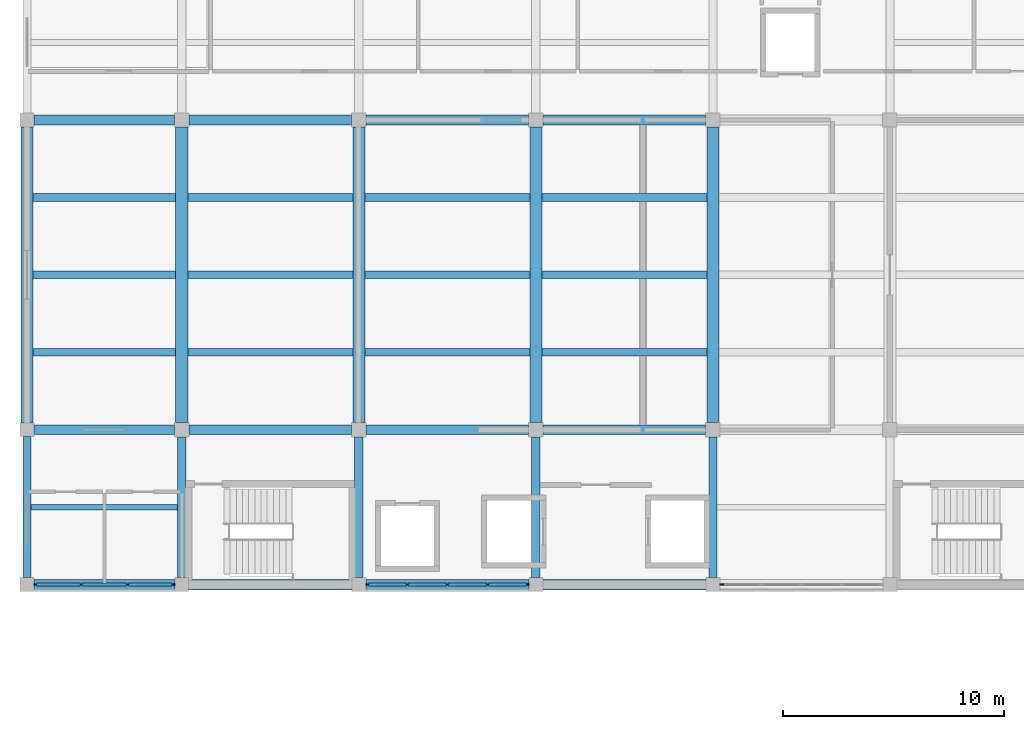
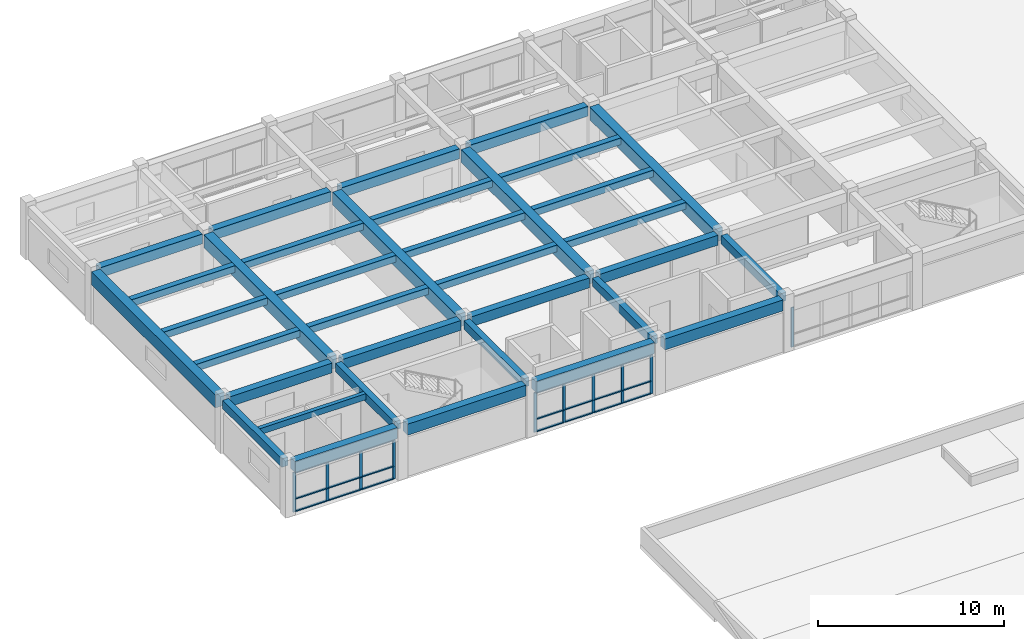
# One storey, part 2 of 22: 35 beams, 31 members, 3 elements without a shape of their own.
"""IFC4 building model written with IfcOpenShell, lengths in metres."""

from ifc_helpers import new_model, si_unit, direction, frame, origin, origin_2d, place, context, subcontext, project, spatial, rectangle, extrude, material, layer, layer_set, material_profile, profile_set, type_object, element, aggregate, save


model = new_model("IFC4")

# Units and contexts
model_context = context("Model", 3, precision=1e-05, world=origin(), true_north=direction((0.0, 1.0)))
body_context = subcontext(model_context, "Body", "Model", "MODEL_VIEW")
ifc_project = project(units=[si_unit("LENGTHUNIT", "METRE"), si_unit("AREAUNIT", "SQUARE_METRE"), si_unit("VOLUMEUNIT", "CUBIC_METRE"), si_unit("PLANEANGLEUNIT", "RADIAN"), si_unit("MASSUNIT", "GRAM", prefix="KILO")], contexts=[model_context])

# Site, building, storey
site_placement = place(None, origin())
site = spatial("IfcSite", under=ifc_project, at=site_placement, CompositionType="ELEMENT")
building_placement = place(site_placement, origin())
building = spatial("IfcBuilding", under=site, at=building_placement, Name="Naurynzar Civic Courthouse", CompositionType="ELEMENT")
storey_placement = place(building_placement, frame((0.0, 0.0, 25.800048828125)))
storey = spatial("IfcBuildingStorey", under=building, at=storey_placement, Name="L07", CompositionType="ELEMENT", Elevation=25.800048828125)

# Beams
ifc_material_1 = material(Name="Concrete C40/50", Category="concrete")
ifc_material_profile_1 = material_profile(ifc_material_1, rectangle(XDim=0.25, YDim=0.39990234375, at=origin_2d()), Name="RCB 250x400")
ifc_profile_set_1 = profile_set([ifc_material_profile_1], Name="Concrete C40/50")
beam_type_1 = type_object("IfcBeamType", Name="BM-JST-250x400", PredefinedType="JOIST", material=ifc_profile_set_1)
beam_1_placement = place(storey_placement, frame((62.1875, 47.5, 3.27001953125), z_axis=(1.0, 0.0, 0.0), x_axis=(0.0, 1.0, 0.0)))
element("IfcBeam", 1, at=beam_1_placement, inside=storey, type_object=beam_type_1, Name="V2 secondary rib 975 L07", PredefinedType="JOIST", context=body_context, shape_type="SweptSolid", body=[
    extrude(rectangle(XDim=0.25, YDim=0.39990234375, at=origin_2d()), origin(), (0.0, 0.0, 1.0), 6.625),
])
ifc_material_2 = material(Name="Concrete C40/50", Category="concrete")
ifc_material_profile_2 = material_profile(ifc_material_2, rectangle(XDim=0.550048828125, YDim=0.85009765625, at=origin_2d()), Name="PTB 550x850")
ifc_profile_set_2 = profile_set([ifc_material_profile_2], Name="Concrete C40/50")
beam_type_2 = type_object("IfcBeamType", Name="BM-PT-550x850", PredefinedType="T_BEAM", material=ifc_profile_set_2)
beam_2_placement = place(storey_placement, frame((62.0, 51.3125, 3.044921875), z_axis=(0.0, 1.0, 0.0), x_axis=(-1.0, 0.0, 0.0)))
element("IfcBeam", 2, at=beam_2_placement, inside=storey, type_object=beam_type_2, Name="V2 girder Y-955 L07", PredefinedType="T_BEAM", context=body_context, shape_type="SweptSolid", body=[
    extrude(rectangle(XDim=0.550048828125, YDim=0.85009765625, at=origin_2d()), origin(), (0.0, 0.0, 1.0), 13.375),
])
for number, where, z_axis, x_axis, name in (
    (3, (69.0, 51.324951171875, 3.044921875), (0.0, 1.0, 0.0), (-1.0, 0.0, 0.0), "V2 girder Y-958 L07"),
    (4, (77.0, 51.324951171875, 3.044921875), (0.0, 1.0, 0.0), (-1.0, 0.0, 0.0), "V2 girder Y-961 L07"),
    (5, (85.0, 51.324951171875, 3.044921875), (0.0, 1.0, 0.0), (-1.0, 0.0, 0.0), "V2 girder Y-964 L07"),
    (6, (93.0, 51.324951171875, 3.044921875), (0.0, 1.0, 0.0), (-1.0, 0.0, 0.0), "V2 girder Y-967 L07"),
):
    element("IfcBeam", number, at=place(storey_placement, frame(where, z_axis=z_axis, x_axis=x_axis)), inside=storey, type_object=beam_type_2, Name=name, PredefinedType="T_BEAM", context=body_context, shape_type="SweptSolid", body=[
        extrude(rectangle(XDim=0.550048828125, YDim=0.85009765625, at=origin_2d()), origin(), (0.0, 0.0, 1.0), 13.35009765625),
    ])
ifc_material_3 = material(Name="Concrete C40/50", Category="concrete")
ifc_material_profile_3 = material_profile(ifc_material_3, rectangle(XDim=0.35009765625, YDim=0.449951171875, at=origin_2d()), Name="RCB 350x450")
ifc_profile_set_3 = profile_set([ifc_material_profile_3], Name="Concrete C40/50")
beam_type_3 = type_object("IfcBeamType", Name="BM-RC-350x450", PredefinedType="BEAM", material=ifc_profile_set_3)
for number, where, z_axis, x_axis, name in (
    (7, (62.27490234375, 54.5, 3.244873046875), (1.0, 0.0, 0.0), (0.0, 1.0, 0.0), "V2 secondary rib 977 L07"),
    (8, (62.27490234375, 58.0, 3.244873046875), (1.0, 0.0, 0.0), (0.0, 1.0, 0.0), "V2 secondary rib 978 L07"),
    (9, (62.27490234375, 61.5, 3.244873046875), (1.0, 0.0, 0.0), (0.0, 1.0, 0.0), "V2 secondary rib 979 L07"),
):
    element("IfcBeam", number, at=place(storey_placement, frame(where, z_axis=z_axis, x_axis=x_axis)), inside=storey, type_object=beam_type_3, Name=name, PredefinedType="BEAM", context=body_context, shape_type="SweptSolid", body=[
        extrude(rectangle(XDim=0.35009765625, YDim=0.449951171875, at=origin_2d()), origin(), (0.0, 0.0, 1.0), 6.4501953125),
    ])
for number, where, z_axis, x_axis, name in (
    (10, (69.27490234375, 54.5, 3.244873046875), (1.0, 0.0, 0.0), (0.0, 1.0, 0.0), "V2 secondary rib 980 L07"),
    (11, (69.27490234375, 58.0, 3.244873046875), (1.0, 0.0, 0.0), (0.0, 1.0, 0.0), "V2 secondary rib 981 L07"),
    (12, (69.27490234375, 61.5, 3.244873046875), (1.0, 0.0, 0.0), (0.0, 1.0, 0.0), "V2 secondary rib 982 L07"),
    (13, (77.27490234375, 54.5, 3.244873046875), (1.0, 0.0, 0.0), (0.0, 1.0, 0.0), "V2 secondary rib 983 L07"),
    (14, (77.27490234375, 58.0, 3.244873046875), (1.0, 0.0, 0.0), (0.0, 1.0, 0.0), "V2 secondary rib 984 L07"),
    (15, (77.27490234375, 61.5, 3.244873046875), (1.0, 0.0, 0.0), (0.0, 1.0, 0.0), "V2 secondary rib 985 L07"),
    (16, (85.27490234375, 54.5, 3.244873046875), (1.0, 0.0, 0.0), (0.0, 1.0, 0.0), "V2 secondary rib 986 L07"),
    (17, (85.27490234375, 58.0, 3.244873046875), (1.0, 0.0, 0.0), (0.0, 1.0, 0.0), "V2 secondary rib 987 L07"),
    (18, (85.27490234375, 61.5, 3.244873046875), (1.0, 0.0, 0.0), (0.0, 1.0, 0.0), "V2 secondary rib 988 L07"),
):
    element("IfcBeam", number, at=place(storey_placement, frame(where, z_axis=z_axis, x_axis=x_axis)), inside=storey, type_object=beam_type_3, Name=name, PredefinedType="BEAM", context=body_context, shape_type="SweptSolid", body=[
        extrude(rectangle(XDim=0.35009765625, YDim=0.449951171875, at=origin_2d()), origin(), (0.0, 0.0, 1.0), 7.4501953125),
    ])
ifc_material_4 = material(Name="Concrete C40/50", Category="concrete")
ifc_material_profile_4 = material_profile(ifc_material_4, rectangle(XDim=0.375, YDim=0.550048828125, at=origin_2d()), Name="RCB 375x550")
ifc_profile_set_4 = profile_set([ifc_material_profile_4], Name="Concrete C40/50")
beam_type_4 = type_object("IfcBeamType", Name="BM-RC-375x550", PredefinedType="BEAM", material=ifc_profile_set_4)
beam_3_placement = place(storey_placement, frame((62.0, 44.3125, 3.195068359375), z_axis=(0.0, 1.0, 0.0), x_axis=(-1.0, 0.0, 0.0)))
element("IfcBeam", 19, at=beam_3_placement, inside=storey, type_object=beam_type_4, Name="V2 girder Y-954 L07", PredefinedType="BEAM", context=body_context, shape_type="SweptSolid", body=[
    extrude(rectangle(XDim=0.375, YDim=0.550048828125, at=origin_2d()), origin(), (0.0, 0.0, 1.0), 6.375),
])
for number, where, z_axis, x_axis, name in (
    (20, (69.0, 44.3125, 3.195068359375), (0.0, 1.0, 0.0), (-1.0, 0.0, 0.0), "V2 girder Y-957 L07"),
    (21, (77.0, 44.3125, 3.195068359375), (0.0, 1.0, 0.0), (-1.0, 0.0, 0.0), "V2 girder Y-960 L07"),
    (22, (85.0, 44.3125, 3.195068359375), (0.0, 1.0, 0.0), (-1.0, 0.0, 0.0), "V2 girder Y-963 L07"),
    (23, (93.0, 44.3125, 3.195068359375), (0.0, 1.0, 0.0), (-1.0, 0.0, 0.0), "V2 girder Y-966 L07"),
):
    element("IfcBeam", number, at=place(storey_placement, frame(where, z_axis=z_axis, x_axis=x_axis)), inside=storey, type_object=beam_type_4, Name=name, PredefinedType="BEAM", context=body_context, shape_type="SweptSolid", body=[
        extrude(rectangle(XDim=0.375, YDim=0.550048828125, at=origin_2d()), origin(), (0.0, 0.0, 1.0), 6.362548828125),
    ])
ifc_material_5 = material(Name="Concrete C40/50", Category="concrete")
ifc_material_profile_5 = material_profile(ifc_material_5, rectangle(XDim=0.449951171875, YDim=0.64990234375, at=origin_2d()), Name="RCB 450x650")
ifc_profile_set_5 = profile_set([ifc_material_profile_5], Name="Concrete C40/50")
beam_type_5 = type_object("IfcBeamType", Name="BM-RC-450x650", PredefinedType="BEAM", material=ifc_profile_set_5)
beam_4_placement = place(storey_placement, frame((62.3125, 51.0, 3.14501953125), z_axis=(1.0, 0.0, 0.0), x_axis=(0.0, 1.0, 0.0)))
element("IfcBeam", 24, at=beam_4_placement, inside=storey, type_object=beam_type_5, Name="V2 beam X-936 L07", PredefinedType="BEAM", context=body_context, shape_type="SweptSolid", body=[
    extrude(rectangle(XDim=0.449951171875, YDim=0.64990234375, at=origin_2d()), origin(), (0.0, 0.0, 1.0), 6.362548828125),
])
for number, where, z_axis, x_axis, name in (
    (25, (69.324951171875, 51.0, 3.14501953125), (1.0, 0.0, 0.0), (0.0, 1.0, 0.0), "V2 beam X-937 L07"),
    (26, (77.324951171875, 51.0, 3.14501953125), (1.0, 0.0, 0.0), (0.0, 1.0, 0.0), "V2 beam X-938 L07"),
    (27, (85.324951171875, 51.0, 3.14501953125), (1.0, 0.0, 0.0), (0.0, 1.0, 0.0), "V2 beam X-939 L07"),
):
    element("IfcBeam", number, at=place(storey_placement, frame(where, z_axis=z_axis, x_axis=x_axis)), inside=storey, type_object=beam_type_5, Name=name, PredefinedType="BEAM", context=body_context, shape_type="SweptSolid", body=[
        extrude(rectangle(XDim=0.449951171875, YDim=0.64990234375, at=origin_2d()), origin(), (0.0, 0.0, 1.0), 7.35009765625),
    ])
beam_5_placement = place(storey_placement, frame((62.3125, 65.0, 3.14501953125), z_axis=(1.0, 0.0, 0.0), x_axis=(0.0, 1.0, 0.0)))
element("IfcBeam", 28, at=beam_5_placement, inside=storey, type_object=beam_type_5, Name="V2 beam X-942 L07", PredefinedType="BEAM", context=body_context, shape_type="SweptSolid", body=[
    extrude(rectangle(XDim=0.449951171875, YDim=0.64990234375, at=origin_2d()), origin(), (0.0, 0.0, 1.0), 6.362548828125),
])
for number, where, z_axis, x_axis, name in (
    (29, (69.324951171875, 65.0, 3.14501953125), (1.0, 0.0, 0.0), (0.0, 1.0, 0.0), "V2 beam X-943 L07"),
    (30, (77.324951171875, 65.0, 3.14501953125), (1.0, 0.0, 0.0), (0.0, 1.0, 0.0), "V2 beam X-944 L07"),
    (31, (85.324951171875, 65.0, 3.14501953125), (1.0, 0.0, 0.0), (0.0, 1.0, 0.0), "V2 beam X-945 L07"),
):
    element("IfcBeam", number, at=place(storey_placement, frame(where, z_axis=z_axis, x_axis=x_axis)), inside=storey, type_object=beam_type_5, Name=name, PredefinedType="BEAM", context=body_context, shape_type="SweptSolid", body=[
        extrude(rectangle(XDim=0.449951171875, YDim=0.64990234375, at=origin_2d()), origin(), (0.0, 0.0, 1.0), 7.35009765625),
    ])
ifc_material_6 = material(Name="Concrete C40/50", Category="concrete")
ifc_material_profile_6 = material_profile(ifc_material_6, rectangle(XDim=0.47509765625, YDim=0.72509765625, at=origin_2d()), Name="RCB 475x725")
ifc_profile_set_6 = profile_set([ifc_material_profile_6], Name="Concrete C40/50")
beam_type_6 = type_object("IfcBeamType", Name="BM-RC-475x725", PredefinedType="SPANDREL", material=ifc_profile_set_6)
beam_6_placement = place(storey_placement, frame((62.3125, 44.0, 3.107421875), z_axis=(1.0, 0.0, 0.0), x_axis=(0.0, 1.0, 0.0)))
element("IfcBeam", 32, at=beam_6_placement, inside=storey, type_object=beam_type_6, Name="V2 beam X-930 L07", PredefinedType="SPANDREL", context=body_context, shape_type="SweptSolid", body=[
    extrude(rectangle(XDim=0.47509765625, YDim=0.72509765625, at=origin_2d()), origin(), (0.0, 0.0, 1.0), 6.375),
])
for number, where, z_axis, x_axis, name in (
    (33, (69.3125, 44.0, 3.107421875), (1.0, 0.0, 0.0), (0.0, 1.0, 0.0), "V2 beam X-931 L07"),
    (34, (77.3125, 44.0, 3.107421875), (1.0, 0.0, 0.0), (0.0, 1.0, 0.0), "V2 beam X-932 L07"),
    (35, (85.3125, 44.0, 3.107421875), (1.0, 0.0, 0.0), (0.0, 1.0, 0.0), "V2 beam X-933 L07"),
):
    element("IfcBeam", number, at=place(storey_placement, frame(where, z_axis=z_axis, x_axis=x_axis)), inside=storey, type_object=beam_type_6, Name=name, PredefinedType="SPANDREL", context=body_context, shape_type="SweptSolid", body=[
        extrude(rectangle(XDim=0.47509765625, YDim=0.72509765625, at=origin_2d()), origin(), (0.0, 0.0, 1.0), 7.375),
    ])

# Curtain wall, member
ifc_material_7 = material(Name="Aluminium 6063-T6", Category="aluminium")
ifc_layer = layer(ifc_material_7, 0.159912109375)
ifc_layer_set = layer_set([ifc_layer], Name="CW-UNIT-1800")
curtain_wall_type = type_object("IfcCurtainWallType", Name="CW-UNIT-1800", PredefinedType="NOTDEFINED", material=ifc_layer_set)
curtain_wall_1_placement = place(storey_placement, origin())
curtain_wall_1 = element("IfcCurtainWall", 36, at=curtain_wall_1_placement, inside=storey, type_object=curtain_wall_type, Name="V2 unitised curtain wall 51 L07", PredefinedType="NOTDEFINED")
ifc_material_8 = material(Name="Aluminium 6063-T6", Category="aluminium")
ifc_material_profile_7 = material_profile(ifc_material_8, rectangle(XDim=0.070068359375, YDim=0.179931640625, at=origin_2d()), Name="ALU MULLION 70x180")
ifc_profile_set_7 = profile_set([ifc_material_profile_7], Name="Aluminium 6063-T6")
member_type_1 = type_object("IfcMemberType", Name="CWM-70x180", PredefinedType="MULLION", material=ifc_profile_set_7)
member_1_placement = place(storey_placement, frame((93.3974609375, 44.0, 0.0), z_axis=(0.0, 0.0, 1.0), x_axis=(0.0, -1.0, 0.0)))
member_1 = element("IfcMember", 37, at=member_1_placement, type_object=member_type_1, Name="CW-02 mullion 5", PredefinedType="MULLION", context=body_context, shape_type="SweptSolid", body=[
    extrude(rectangle(XDim=0.070068359375, YDim=0.179931640625, at=origin_2d()), origin(), (0.0, 0.0, 1.0), 2.599853515625),
])
aggregate(curtain_wall_1, [member_1])

# Curtain wall, members
curtain_wall_2_placement = place(storey_placement, origin())
curtain_wall_2 = element("IfcCurtainWall", 38, at=curtain_wall_2_placement, inside=storey, type_object=curtain_wall_type, Name="V2 unitised curtain wall 52 L07", PredefinedType="NOTDEFINED")
member_2_placement = place(storey_placement, frame((84.6025390625, 44.0, 0.0), z_axis=(0.0, 0.0, 1.0), x_axis=(0.0, -1.0, 0.0)))
member_2 = element("IfcMember", 39, at=member_2_placement, type_object=member_type_1, Name="CW-02 mullion 1", PredefinedType="MULLION", context=body_context, shape_type="SweptSolid", body=[
    extrude(rectangle(XDim=0.070068359375, YDim=0.179931640625, at=origin_2d()), origin(), (0.0, 0.0, 1.0), 2.599853515625),
])
member_3_placement = place(storey_placement, frame((82.81884765625, 44.0, 0.0), z_axis=(0.0, 0.0, 1.0), x_axis=(0.0, -1.0, 0.0)))
member_3 = element("IfcMember", 40, at=member_3_placement, type_object=member_type_1, Name="CW-02 mullion 2", PredefinedType="MULLION", context=body_context, shape_type="SweptSolid", body=[
    extrude(rectangle(XDim=0.070068359375, YDim=0.179931640625, at=origin_2d()), origin(), (0.0, 0.0, 1.0), 2.599853515625),
])
member_4_placement = place(storey_placement, frame((81.0, 44.0, 0.0), z_axis=(0.0, 0.0, 1.0), x_axis=(0.0, -1.0, 0.0)))
member_4 = element("IfcMember", 41, at=member_4_placement, type_object=member_type_1, Name="CW-02 mullion 3", PredefinedType="MULLION", context=body_context, shape_type="SweptSolid", body=[
    extrude(rectangle(XDim=0.070068359375, YDim=0.179931640625, at=origin_2d()), origin(), (0.0, 0.0, 1.0), 2.599853515625),
])
member_5_placement = place(storey_placement, frame((79.18115234375, 44.0, 0.0), z_axis=(0.0, 0.0, 1.0), x_axis=(0.0, -1.0, 0.0)))
member_5 = element("IfcMember", 42, at=member_5_placement, type_object=member_type_1, Name="CW-02 mullion 4", PredefinedType="MULLION", context=body_context, shape_type="SweptSolid", body=[
    extrude(rectangle(XDim=0.070068359375, YDim=0.179931640625, at=origin_2d()), origin(), (0.0, 0.0, 1.0), 2.599853515625),
])
member_6_placement = place(storey_placement, frame((77.3974609375, 44.0, 0.0), z_axis=(0.0, 0.0, 1.0), x_axis=(0.0, -1.0, 0.0)))
member_6 = element("IfcMember", 43, at=member_6_placement, type_object=member_type_1, Name="CW-02 mullion 5", PredefinedType="MULLION", context=body_context, shape_type="SweptSolid", body=[
    extrude(rectangle(XDim=0.070068359375, YDim=0.179931640625, at=origin_2d()), origin(), (0.0, 0.0, 1.0), 2.599853515625),
])

curtain_wall_3_placement = place(storey_placement, origin())
curtain_wall_3 = element("IfcCurtainWall", 44, at=curtain_wall_3_placement, inside=storey, type_object=curtain_wall_type, Name="V2 unitised curtain wall 53 L07", PredefinedType="NOTDEFINED")
member_7_placement = place(storey_placement, frame((68.6025390625, 44.0, 0.0), z_axis=(0.0, 0.0, 1.0), x_axis=(0.0, -1.0, 0.0)))
member_7 = element("IfcMember", 45, at=member_7_placement, type_object=member_type_1, Name="CW-02 mullion 1", PredefinedType="MULLION", context=body_context, shape_type="SweptSolid", body=[
    extrude(rectangle(XDim=0.070068359375, YDim=0.179931640625, at=origin_2d()), origin(), (0.0, 0.0, 1.0), 2.599853515625),
])
member_8_placement = place(storey_placement, frame((66.5458984375, 44.0, 0.0), z_axis=(0.0, 0.0, 1.0), x_axis=(0.0, -1.0, 0.0)))
member_8 = element("IfcMember", 46, at=member_8_placement, type_object=member_type_1, Name="CW-02 mullion 2", PredefinedType="MULLION", context=body_context, shape_type="SweptSolid", body=[
    extrude(rectangle(XDim=0.070068359375, YDim=0.179931640625, at=origin_2d()), origin(), (0.0, 0.0, 1.0), 2.599853515625),
])
member_9_placement = place(storey_placement, frame((64.4541015625, 44.0, 0.0), z_axis=(0.0, 0.0, 1.0), x_axis=(0.0, -1.0, 0.0)))
member_9 = element("IfcMember", 47, at=member_9_placement, type_object=member_type_1, Name="CW-02 mullion 3", PredefinedType="MULLION", context=body_context, shape_type="SweptSolid", body=[
    extrude(rectangle(XDim=0.070068359375, YDim=0.179931640625, at=origin_2d()), origin(), (0.0, 0.0, 1.0), 2.599853515625),
])
member_10_placement = place(storey_placement, frame((62.3974609375, 44.0, 0.0), z_axis=(0.0, 0.0, 1.0), x_axis=(0.0, -1.0, 0.0)))
member_10 = element("IfcMember", 48, at=member_10_placement, type_object=member_type_1, Name="CW-02 mullion 4", PredefinedType="MULLION", context=body_context, shape_type="SweptSolid", body=[
    extrude(rectangle(XDim=0.070068359375, YDim=0.179931640625, at=origin_2d()), origin(), (0.0, 0.0, 1.0), 2.599853515625),
])

# Member
ifc_material_9 = material(Name="Aluminium 6063-T6", Category="aluminium")
ifc_material_profile_8 = material_profile(ifc_material_9, rectangle(XDim=0.1298828125, YDim=0.070068359375, at=origin_2d()), Name="ALU TRANSOM 70x130")
ifc_profile_set_8 = profile_set([ifc_material_profile_8], Name="Aluminium 6063-T6")
member_type_2 = type_object("IfcMemberType", Name="CWT-70x130", PredefinedType="USERDEFINED", material=ifc_profile_set_8)
member_11_placement = place(storey_placement, frame((84.5673828125, 44.0, 0.034912109375), z_axis=(-1.0, 0.0, 0.0), x_axis=(0.0, -1.0, 0.0)))
member_11 = element("IfcMember", 49, at=member_11_placement, type_object=member_type_2, Name="CW-02 transom 1.1", ObjectType="TRANSOM", PredefinedType="USERDEFINED", context=body_context, shape_type="SweptSolid", body=[
    extrude(rectangle(XDim=0.1298828125, YDim=0.070068359375, at=origin_2d()), origin(), (0.0, 0.0, 1.0), 1.713623046875),
])

member_12_placement = place(storey_placement, frame((84.5673828125, 44.0, 0.849853515625), z_axis=(-1.0, 0.0, 0.0), x_axis=(0.0, -1.0, 0.0)))
member_12 = element("IfcMember", 50, at=member_12_placement, type_object=member_type_2, Name="CW-02 transom 1.2", ObjectType="TRANSOM", PredefinedType="USERDEFINED", context=body_context, shape_type="SweptSolid", body=[
    extrude(rectangle(XDim=0.1298828125, YDim=0.070068359375, at=origin_2d()), origin(), (0.0, 0.0, 1.0), 1.713623046875),
])

member_13_placement = place(storey_placement, frame((84.5673828125, 44.0, 2.56494140625), z_axis=(-1.0, 0.0, 0.0), x_axis=(0.0, -1.0, 0.0)))
member_13 = element("IfcMember", 51, at=member_13_placement, type_object=member_type_2, Name="CW-02 transom 1.3", ObjectType="TRANSOM", PredefinedType="USERDEFINED", context=body_context, shape_type="SweptSolid", body=[
    extrude(rectangle(XDim=0.1298828125, YDim=0.070068359375, at=origin_2d()), origin(), (0.0, 0.0, 1.0), 1.713623046875),
])

member_14_placement = place(storey_placement, frame((82.78369140625, 44.0, 0.034912109375), z_axis=(-1.0, 0.0, 0.0), x_axis=(0.0, -1.0, 0.0)))
member_14 = element("IfcMember", 52, at=member_14_placement, type_object=member_type_2, Name="CW-02 transom 2.1", ObjectType="TRANSOM", PredefinedType="USERDEFINED", context=body_context, shape_type="SweptSolid", body=[
    extrude(rectangle(XDim=0.1298828125, YDim=0.070068359375, at=origin_2d()), origin(), (0.0, 0.0, 1.0), 1.748779296875),
])

member_15_placement = place(storey_placement, frame((82.78369140625, 44.0, 0.849853515625), z_axis=(-1.0, 0.0, 0.0), x_axis=(0.0, -1.0, 0.0)))
member_15 = element("IfcMember", 53, at=member_15_placement, type_object=member_type_2, Name="CW-02 transom 2.2", ObjectType="TRANSOM", PredefinedType="USERDEFINED", context=body_context, shape_type="SweptSolid", body=[
    extrude(rectangle(XDim=0.1298828125, YDim=0.070068359375, at=origin_2d()), origin(), (0.0, 0.0, 1.0), 1.748779296875),
])

member_16_placement = place(storey_placement, frame((82.78369140625, 44.0, 2.56494140625), z_axis=(-1.0, 0.0, 0.0), x_axis=(0.0, -1.0, 0.0)))
member_16 = element("IfcMember", 54, at=member_16_placement, type_object=member_type_2, Name="CW-02 transom 2.3", ObjectType="TRANSOM", PredefinedType="USERDEFINED", context=body_context, shape_type="SweptSolid", body=[
    extrude(rectangle(XDim=0.1298828125, YDim=0.070068359375, at=origin_2d()), origin(), (0.0, 0.0, 1.0), 1.748779296875),
])

member_17_placement = place(storey_placement, frame((80.965087890625, 44.0, 0.034912109375), z_axis=(-1.0, 0.0, 0.0), x_axis=(0.0, -1.0, 0.0)))
member_17 = element("IfcMember", 55, at=member_17_placement, type_object=member_type_2, Name="CW-02 transom 3.1", ObjectType="TRANSOM", PredefinedType="USERDEFINED", context=body_context, shape_type="SweptSolid", body=[
    extrude(rectangle(XDim=0.1298828125, YDim=0.070068359375, at=origin_2d()), origin(), (0.0, 0.0, 1.0), 1.748779296875),
])

member_18_placement = place(storey_placement, frame((80.965087890625, 44.0, 0.849853515625), z_axis=(-1.0, 0.0, 0.0), x_axis=(0.0, -1.0, 0.0)))
member_18 = element("IfcMember", 56, at=member_18_placement, type_object=member_type_2, Name="CW-02 transom 3.2", ObjectType="TRANSOM", PredefinedType="USERDEFINED", context=body_context, shape_type="SweptSolid", body=[
    extrude(rectangle(XDim=0.1298828125, YDim=0.070068359375, at=origin_2d()), origin(), (0.0, 0.0, 1.0), 1.748779296875),
])

member_19_placement = place(storey_placement, frame((80.965087890625, 44.0, 2.56494140625), z_axis=(-1.0, 0.0, 0.0), x_axis=(0.0, -1.0, 0.0)))
member_19 = element("IfcMember", 57, at=member_19_placement, type_object=member_type_2, Name="CW-02 transom 3.3", ObjectType="TRANSOM", PredefinedType="USERDEFINED", context=body_context, shape_type="SweptSolid", body=[
    extrude(rectangle(XDim=0.1298828125, YDim=0.070068359375, at=origin_2d()), origin(), (0.0, 0.0, 1.0), 1.748779296875),
])

member_20_placement = place(storey_placement, frame((79.146240234375, 44.0, 0.034912109375), z_axis=(-1.0, 0.0, 0.0), x_axis=(0.0, -1.0, 0.0)))
member_20 = element("IfcMember", 58, at=member_20_placement, type_object=member_type_2, Name="CW-02 transom 4.1", ObjectType="TRANSOM", PredefinedType="USERDEFINED", context=body_context, shape_type="SweptSolid", body=[
    extrude(rectangle(XDim=0.1298828125, YDim=0.070068359375, at=origin_2d()), origin(), (0.0, 0.0, 1.0), 1.713623046875),
])

member_21_placement = place(storey_placement, frame((79.146240234375, 44.0, 0.849853515625), z_axis=(-1.0, 0.0, 0.0), x_axis=(0.0, -1.0, 0.0)))
member_21 = element("IfcMember", 59, at=member_21_placement, type_object=member_type_2, Name="CW-02 transom 4.2", ObjectType="TRANSOM", PredefinedType="USERDEFINED", context=body_context, shape_type="SweptSolid", body=[
    extrude(rectangle(XDim=0.1298828125, YDim=0.070068359375, at=origin_2d()), origin(), (0.0, 0.0, 1.0), 1.713623046875),
])

member_22_placement = place(storey_placement, frame((79.146240234375, 44.0, 2.56494140625), z_axis=(-1.0, 0.0, 0.0), x_axis=(0.0, -1.0, 0.0)))
member_22 = element("IfcMember", 60, at=member_22_placement, type_object=member_type_2, Name="CW-02 transom 4.3", ObjectType="TRANSOM", PredefinedType="USERDEFINED", context=body_context, shape_type="SweptSolid", body=[
    extrude(rectangle(XDim=0.1298828125, YDim=0.070068359375, at=origin_2d()), origin(), (0.0, 0.0, 1.0), 1.713623046875),
])

aggregate(curtain_wall_2, [member_2, member_3, member_4, member_5, member_6, member_11, member_12, member_13, member_14, member_15, member_16, member_17, member_18, member_19, member_20, member_21, member_22])

member_23_placement = place(storey_placement, frame((68.5673828125, 44.0, 0.034912109375), z_axis=(-1.0, 0.0, 0.0), x_axis=(0.0, -1.0, 0.0)))
member_23 = element("IfcMember", 61, at=member_23_placement, type_object=member_type_2, Name="CW-02 transom 1.1", ObjectType="TRANSOM", PredefinedType="USERDEFINED", context=body_context, shape_type="SweptSolid", body=[
    extrude(rectangle(XDim=0.1298828125, YDim=0.070068359375, at=origin_2d()), origin(), (0.0, 0.0, 1.0), 1.986572265625),
])

member_24_placement = place(storey_placement, frame((68.5673828125, 44.0, 0.849853515625), z_axis=(-1.0, 0.0, 0.0), x_axis=(0.0, -1.0, 0.0)))
member_24 = element("IfcMember", 62, at=member_24_placement, type_object=member_type_2, Name="CW-02 transom 1.2", ObjectType="TRANSOM", PredefinedType="USERDEFINED", context=body_context, shape_type="SweptSolid", body=[
    extrude(rectangle(XDim=0.1298828125, YDim=0.070068359375, at=origin_2d()), origin(), (0.0, 0.0, 1.0), 1.986572265625),
])

member_25_placement = place(storey_placement, frame((68.5673828125, 44.0, 2.56494140625), z_axis=(-1.0, 0.0, 0.0), x_axis=(0.0, -1.0, 0.0)))
member_25 = element("IfcMember", 63, at=member_25_placement, type_object=member_type_2, Name="CW-02 transom 1.3", ObjectType="TRANSOM", PredefinedType="USERDEFINED", context=body_context, shape_type="SweptSolid", body=[
    extrude(rectangle(XDim=0.1298828125, YDim=0.070068359375, at=origin_2d()), origin(), (0.0, 0.0, 1.0), 1.986572265625),
])

member_26_placement = place(storey_placement, frame((66.5107421875, 44.0, 0.034912109375), z_axis=(-1.0, 0.0, 0.0), x_axis=(0.0, -1.0, 0.0)))
member_26 = element("IfcMember", 64, at=member_26_placement, type_object=member_type_2, Name="CW-02 transom 2.1", ObjectType="TRANSOM", PredefinedType="USERDEFINED", context=body_context, shape_type="SweptSolid", body=[
    extrude(rectangle(XDim=0.1298828125, YDim=0.070068359375, at=origin_2d()), origin(), (0.0, 0.0, 1.0), 2.021484375),
])

member_27_placement = place(storey_placement, frame((66.5107421875, 44.0, 0.849853515625), z_axis=(-1.0, 0.0, 0.0), x_axis=(0.0, -1.0, 0.0)))
member_27 = element("IfcMember", 65, at=member_27_placement, type_object=member_type_2, Name="CW-02 transom 2.2", ObjectType="TRANSOM", PredefinedType="USERDEFINED", context=body_context, shape_type="SweptSolid", body=[
    extrude(rectangle(XDim=0.1298828125, YDim=0.070068359375, at=origin_2d()), origin(), (0.0, 0.0, 1.0), 2.021484375),
])

member_28_placement = place(storey_placement, frame((66.5107421875, 44.0, 2.56494140625), z_axis=(-1.0, 0.0, 0.0), x_axis=(0.0, -1.0, 0.0)))
member_28 = element("IfcMember", 66, at=member_28_placement, type_object=member_type_2, Name="CW-02 transom 2.3", ObjectType="TRANSOM", PredefinedType="USERDEFINED", context=body_context, shape_type="SweptSolid", body=[
    extrude(rectangle(XDim=0.1298828125, YDim=0.070068359375, at=origin_2d()), origin(), (0.0, 0.0, 1.0), 2.021484375),
])

member_29_placement = place(storey_placement, frame((64.419189453125, 44.0, 0.034912109375), z_axis=(-1.0, 0.0, 0.0), x_axis=(0.0, -1.0, 0.0)))
member_29 = element("IfcMember", 67, at=member_29_placement, type_object=member_type_2, Name="CW-02 transom 3.1", ObjectType="TRANSOM", PredefinedType="USERDEFINED", context=body_context, shape_type="SweptSolid", body=[
    extrude(rectangle(XDim=0.1298828125, YDim=0.070068359375, at=origin_2d()), origin(), (0.0, 0.0, 1.0), 1.986572265625),
])

member_30_placement = place(storey_placement, frame((64.419189453125, 44.0, 0.849853515625), z_axis=(-1.0, 0.0, 0.0), x_axis=(0.0, -1.0, 0.0)))
member_30 = element("IfcMember", 68, at=member_30_placement, type_object=member_type_2, Name="CW-02 transom 3.2", ObjectType="TRANSOM", PredefinedType="USERDEFINED", context=body_context, shape_type="SweptSolid", body=[
    extrude(rectangle(XDim=0.1298828125, YDim=0.070068359375, at=origin_2d()), origin(), (0.0, 0.0, 1.0), 1.986572265625),
])

member_31_placement = place(storey_placement, frame((64.419189453125, 44.0, 2.56494140625), z_axis=(-1.0, 0.0, 0.0), x_axis=(0.0, -1.0, 0.0)))
member_31 = element("IfcMember", 69, at=member_31_placement, type_object=member_type_2, Name="CW-02 transom 3.3", ObjectType="TRANSOM", PredefinedType="USERDEFINED", context=body_context, shape_type="SweptSolid", body=[
    extrude(rectangle(XDim=0.1298828125, YDim=0.070068359375, at=origin_2d()), origin(), (0.0, 0.0, 1.0), 1.986572265625),
])

aggregate(curtain_wall_3, [member_7, member_8, member_9, member_10, member_23, member_24, member_25, member_26, member_27, member_28, member_29, member_30, member_31])

save(model, "model.ifc")
